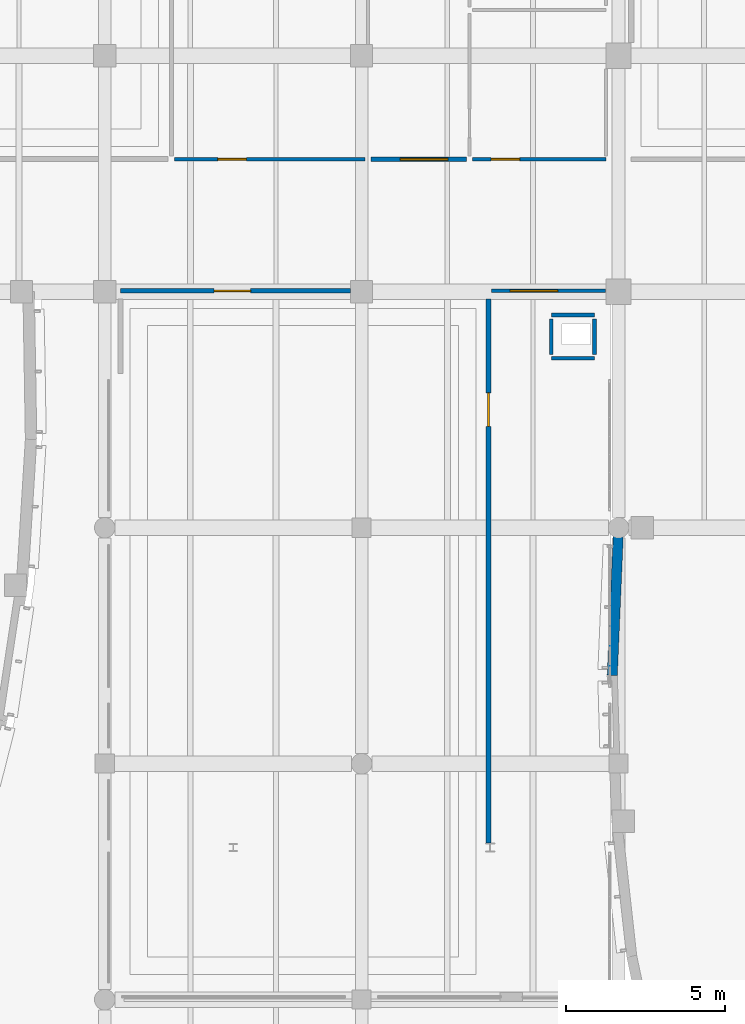
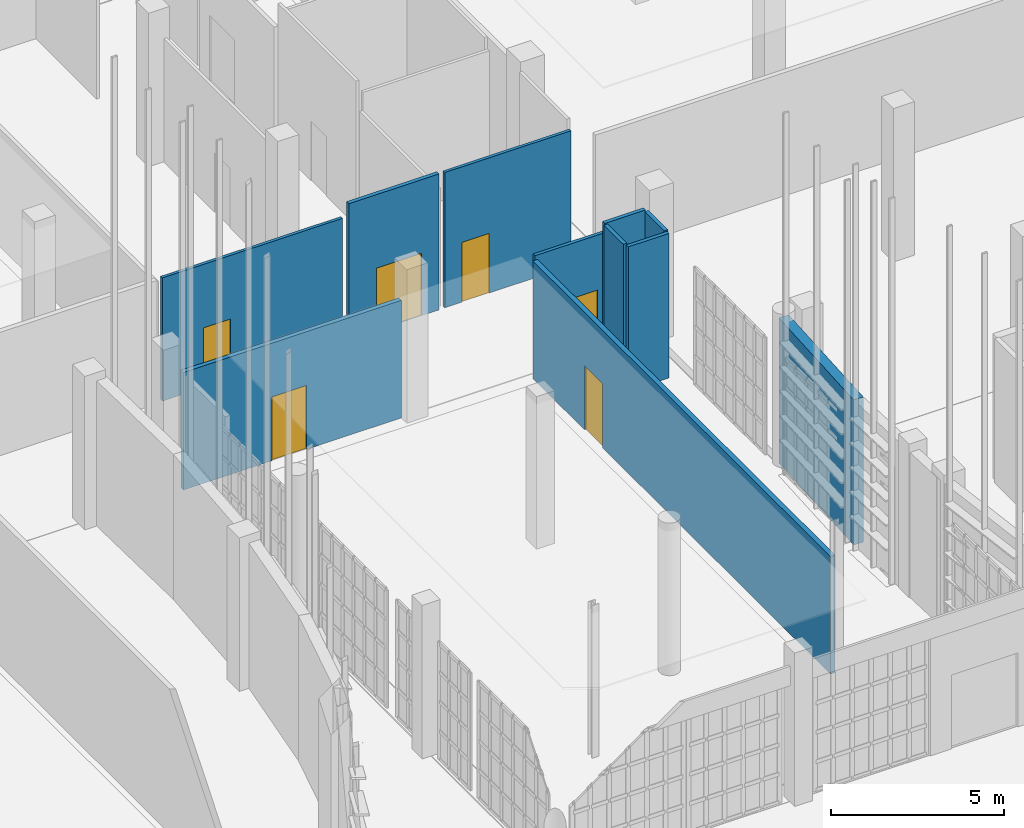
# One storey, part 351 of 372: 11 walls, 6 doors, 6 openings.
"""IFC4 building model written with IfcOpenShell, lengths in metres."""

from ifc_helpers import new_model, si_unit, direction, frame, frame_2d, origin, place, context, subcontext, project, spatial, rectangle, extrude, material, layer, layer_set, type_object, element, fill, save


model = new_model("IFC4")

# Units and contexts
model_context = context("Model", 3, precision=1e-05, world=origin(), true_north=direction((0.0, 1.0)))
body_context = subcontext(model_context, "Body", "Model", "MODEL_VIEW")
ifc_project = project(units=[si_unit("LENGTHUNIT", "METRE"), si_unit("AREAUNIT", "SQUARE_METRE"), si_unit("VOLUMEUNIT", "CUBIC_METRE"), si_unit("PLANEANGLEUNIT", "RADIAN"), si_unit("MASSUNIT", "GRAM", prefix="KILO")], contexts=[model_context])

# Site, building, storey
site_placement = place(None, origin())
site = spatial("IfcSite", under=ifc_project, at=site_placement, CompositionType="ELEMENT")
building_placement = place(site_placement, origin())
building = spatial("IfcBuilding", under=site, at=building_placement, Name="Kaelora Sail Theatre", CompositionType="ELEMENT")
storey_placement = place(building_placement, origin())
storey = spatial("IfcBuildingStorey", under=building, at=storey_placement, Name="L00", CompositionType="ELEMENT", Elevation=0.0)

# Wall
ifc_material_1 = material(Name="Concrete C45/55", Category="concrete")
ifc_layer_1 = layer(ifc_material_1, 0.320068359375)
ifc_layer_set_1 = layer_set([ifc_layer_1], Name="Concrete C45/55")
wall_type_1 = type_object("IfcWallType", Name="ARC-WL-DW-320", PredefinedType="SHEAR", material=ifc_layer_set_1)
wall_1_placement = place(storey_placement, frame((122.802001953125, 48.924560546875, 0.0), z_axis=(0.0, 0.0, 1.0), x_axis=(0.042491348944, 0.999096834779, 0.0)))
element("IfcWall", 1, at=wall_1_placement, inside=storey, type_object=wall_type_1, Name="Black-Box and Experimental Sail Wing curved drum acoustic wall L00 chord 20", PredefinedType="SHEAR", context=body_context, shape_type="SweptSolid", body=[
    extrude(rectangle(XDim=4.65966796875, YDim=0.320068359375, at=frame_2d((2.329833984375, 0.0))), origin(), (0.0, 0.0, 1.0), 5.10498046875),
])

# Wall, opening, door
ifc_material_2 = material(Name="Sanitary moisture-resistant partition 100 mm", Category="gypsum")
ifc_layer_2 = layer(ifc_material_2, 0.10009765625)
ifc_layer_set_2 = layer_set([ifc_layer_2], Name="Sanitary moisture-resistant partition 100 mm")
wall_type_2 = type_object("IfcWallType", Name="ARC-WL-PT-100", PredefinedType="PARTITIONING", material=ifc_layer_set_2)
wall_2_placement = place(storey_placement, frame((109.0, 65.199951171875, 0.0), z_axis=(0.0, 0.0, 1.0), x_axis=(1.0, 0.0, 0.0)))
wall_2 = element("IfcWall", 2, at=wall_2_placement, inside=storey, type_object=wall_type_2, Name="Interior acoustic partition L00-COR-FOYC/L00-WC-F1", PredefinedType="PARTITIONING", context=body_context, shape_type="SweptSolid", body=[
    extrude(rectangle(XDim=6.0, YDim=0.10009765625, at=frame_2d((3.0, 0.0))), origin(), (0.0, 0.0, 1.0), 4.3369140625),
])
opening_1_placement = place(wall_2_placement, frame((1.367919921875, 0.0, 0.0)))
opening_1 = element("IfcOpeningElement", 3, at=opening_1_placement, cuts=wall_2, Name="Opening ID-03", PredefinedType="OPENING", context=body_context, shape_type="SweptSolid", body=[
    extrude(rectangle(XDim=0.89990234375, YDim=2.10009765625, at=frame_2d((0.449951171875, 1.050048828125))), frame((0.0, 0.060049, 0.0), z_axis=(0.0, -1.0, 0.0), x_axis=(1.0, 0.0, 0.0)), (0.0, 0.0, 1.0), 0.120098),
])
ifc_material_3 = material(Name="Accessible sanitary laminate door", Category="timber")
door_type_1 = type_object("IfcDoorType", Name="ARC-DR-ID-03", OperationType="NOTDEFINED", PredefinedType="DOOR", material=ifc_material_3)
door_1_placement = place(opening_1_placement, origin())
door_1 = element("IfcDoor", 4, at=door_1_placement, inside=storey, type_object=door_type_1, Name="Interior door L00-COR-FOYC to L00-WC-F1", OperationType="SINGLE_SWING_RIGHT", OverallHeight=2.10009765625, OverallWidth=0.89990234375, PredefinedType="DOOR", context=body_context, shape_type="SweptSolid", body=[
    extrude(rectangle(XDim=0.89990234375, YDim=2.10009765625, at=frame_2d((0.449951171875, 1.050048828125))), frame((0.0, 0.02490234375, 0.0), z_axis=(0.0, -1.0, 0.0), x_axis=(1.0, 0.0, 0.0)), (0.0, 0.0, 1.0), 0.050048828125),
])
fill(opening_1, door_1)

wall_3_placement = place(storey_placement, frame((118.39990234375, 65.199951171875, 0.0), z_axis=(0.0, 0.0, 1.0), x_axis=(1.0, 0.0, 0.0)))
wall_3 = element("IfcWall", 5, at=wall_3_placement, inside=storey, type_object=wall_type_2, Name="Interior acoustic partition L00-COR-FOYC/L00-WC-ACC1", PredefinedType="PARTITIONING", context=body_context, shape_type="SweptSolid", body=[
    extrude(rectangle(XDim=4.2001953125, YDim=0.10009765625, at=frame_2d((2.10009765625, 0.0))), origin(), (0.0, 0.0, 1.0), 4.757080078125),
])
opening_2_placement = place(wall_3_placement, frame((0.580078125, 0.0, 0.0)))
opening_2 = element("IfcOpeningElement", 6, at=opening_2_placement, cuts=wall_3, Name="Opening ID-03", PredefinedType="OPENING", context=body_context, shape_type="SweptSolid", body=[
    extrude(rectangle(XDim=0.89990234375, YDim=2.10009765625, at=frame_2d((0.449951171875, 1.050048828125))), frame((0.0, 0.060049, 0.0), z_axis=(0.0, -1.0, 0.0), x_axis=(1.0, 0.0, 0.0)), (0.0, 0.0, 1.0), 0.120098),
])
door_2_placement = place(opening_2_placement, origin())
door_2 = element("IfcDoor", 7, at=door_2_placement, inside=storey, type_object=door_type_1, Name="Interior door L00-COR-FOYC to L00-WC-ACC1", OperationType="SINGLE_SWING_RIGHT", OverallHeight=2.10009765625, OverallWidth=0.89990234375, PredefinedType="DOOR", context=body_context, shape_type="SweptSolid", body=[
    extrude(rectangle(XDim=0.89990234375, YDim=2.10009765625, at=frame_2d((0.449951171875, 1.050048828125))), frame((0.0, 0.02490234375, 0.0), z_axis=(0.0, -1.0, 0.0), x_axis=(1.0, 0.0, 0.0)), (0.0, 0.0, 1.0), 0.050048828125),
])
fill(opening_2, door_2)

ifc_material_4 = material(Name="Office acoustic stud partition 110 mm", Category="gypsum")
ifc_layer_3 = layer(ifc_material_4, 0.110107421875)
ifc_layer_set_3 = layer_set([ifc_layer_3], Name="Office acoustic stud partition 110 mm")
wall_type_3 = type_object("IfcWallType", Name="ARC-WL-PT-110", PredefinedType="PARTITIONING", material=ifc_layer_set_3)
wall_4_placement = place(storey_placement, frame((119.0, 61.050048828125, 0.0), z_axis=(0.0, 0.0, 1.0), x_axis=(1.0, 0.0, 0.0)))
wall_4 = element("IfcWall", 8, at=wall_4_placement, inside=storey, type_object=wall_type_3, Name="Interior acoustic partition L00-COR-INTER2/L00-COR-FOYC", PredefinedType="PARTITIONING", context=body_context, shape_type="SweptSolid", body=[
    extrude(rectangle(XDim=3.594970703125, YDim=0.110107421875, at=frame_2d((1.79736328125, 0.0))), origin(), (0.0, 0.0, 1.0), 4.136962890625),
])
opening_3_placement = place(wall_4_placement, frame((0.580078125, 0.0, 0.0)))
opening_3 = element("IfcOpeningElement", 9, at=opening_3_placement, cuts=wall_4, Name="Opening FD-01", PredefinedType="OPENING", context=body_context, shape_type="SweptSolid", body=[
    extrude(rectangle(XDim=1.5, YDim=2.199951171875, at=frame_2d((0.75, 1.10009765625))), frame((0.0, 0.065176, 0.0), z_axis=(0.0, -1.0, 0.0), x_axis=(1.0, 0.0, 0.0)), (0.0, 0.0, 1.0), 0.130107),
])
ifc_material_5 = material(Name="Acoustic steel double fire door EI 90-C", Category="steel")
door_type_2 = type_object("IfcDoorType", Name="ARC-DR-FD-01", OperationType="NOTDEFINED", PredefinedType="DOOR", material=ifc_material_5)
door_3_placement = place(opening_3_placement, origin())
door_3 = element("IfcDoor", 10, at=door_3_placement, inside=storey, type_object=door_type_2, Name="Interior door L00-COR-INTER2 to L00-COR-FOYC", OperationType="DOUBLE_DOOR_SINGLE_SWING", OverallHeight=2.199951171875, OverallWidth=1.5, PredefinedType="DOOR", context=body_context, shape_type="SweptSolid", body=[
    extrude(rectangle(XDim=1.5, YDim=2.199951171875, at=frame_2d((0.75, 1.10009765625))), frame((0.0, 0.02490234375, 0.0), z_axis=(0.0, -1.0, 0.0), x_axis=(1.0, 0.0, 0.0)), (0.0, 0.0, 1.0), 0.050048828125),
])
fill(opening_3, door_3)

# Walls
ifc_material_6 = material(Name="Standard metal-stud partition 120 mm", Category="gypsum")
ifc_layer_4 = layer(ifc_material_6, 0.1201171875)
ifc_layer_set_4 = layer_set([ifc_layer_4], Name="Standard metal-stud partition 120 mm")
wall_type_4 = type_object("IfcWallType", Name="ARC-WL-PT-120", PredefinedType="PARTITIONING", material=ifc_layer_set_4)
for number, where, z_axis, x_axis, name in (
    (11, (120.8798828125, 58.925048828125, 0.0), (0.0, 0.0, 1.0), (1.0, 0.0, 0.0), "MEP riser shaft wall FI-EAST-L00-S"),
    (12, (120.8798828125, 60.284912109375, 0.0), (0.0, 0.0, 1.0), (1.0, 0.0, 0.0), "MEP riser shaft wall FI-EAST-L00-N"),
):
    element("IfcWall", number, at=place(storey_placement, frame(where, z_axis=z_axis, x_axis=x_axis)), inside=storey, type_object=wall_type_4, Name=name, PredefinedType="PARTITIONING", context=body_context, shape_type="SweptSolid", body=[
        extrude(rectangle(XDim=1.360107421875, YDim=0.1201171875, at=frame_2d((0.68017578125, 0.0))), origin(), (0.0, 0.0, 1.0), 5.0849609375),
    ])
for number, where, z_axis, x_axis, name in (
    (13, (120.8798828125, 59.044921875, 0.0), (0.0, 0.0, 1.0), (0.0, 1.0, 0.0), "MEP riser shaft wall FI-EAST-L00-W"),
    (14, (122.239990234375, 59.044921875, 0.0), (0.0, 0.0, 1.0), (0.0, 1.0, 0.0), "MEP riser shaft wall FI-EAST-L00-E"),
):
    element("IfcWall", number, at=place(storey_placement, frame(where, z_axis=z_axis, x_axis=x_axis)), inside=storey, type_object=wall_type_4, Name=name, PredefinedType="PARTITIONING", context=body_context, shape_type="SweptSolid", body=[
        extrude(rectangle(XDim=1.1201171875, YDim=0.1201171875, at=frame_2d((0.56005859375, 0.0))), origin(), (0.0, 0.0, 1.0), 5.0849609375),
    ])

# Wall, opening, door
ifc_material_7 = material(Name="Dressing room acoustic partition 130 mm", Category="gypsum")
ifc_layer_5 = layer(ifc_material_7, 0.1298828125)
ifc_layer_set_5 = layer_set([ifc_layer_5], Name="Dressing room acoustic partition 130 mm")
wall_type_5 = type_object("IfcWallType", Name="ARC-WL-PT-130", PredefinedType="PARTITIONING", material=ifc_layer_set_5)
wall_5_placement = place(storey_placement, frame((115.199951171875, 65.199951171875, 0.0), z_axis=(0.0, 0.0, 1.0), x_axis=(1.0, 0.0, 0.0)))
wall_5 = element("IfcWall", 15, at=wall_5_placement, inside=storey, type_object=wall_type_5, Name="Interior acoustic partition L00-COR-FOYC/L00-COR-WCLOB", PredefinedType="PARTITIONING", context=body_context, shape_type="SweptSolid", body=[
    extrude(rectangle(XDim=3.0, YDim=0.1298828125, at=frame_2d((1.5, 0.0))), origin(), (0.0, 0.0, 1.0), 4.787109375),
])
opening_4_placement = place(wall_5_placement, frame((0.919921875, 0.0, 0.0)))
opening_4 = element("IfcOpeningElement", 16, at=opening_4_placement, cuts=wall_5, Name="Opening FD-01", PredefinedType="OPENING", context=body_context, shape_type="SweptSolid", body=[
    extrude(rectangle(XDim=1.5, YDim=2.199951171875, at=frame_2d((0.75, 1.10009765625))), frame((0.0, 0.074941, 0.0), z_axis=(0.0, -1.0, 0.0), x_axis=(1.0, 0.0, 0.0)), (0.0, 0.0, 1.0), 0.149883),
])
door_4_placement = place(opening_4_placement, origin())
door_4 = element("IfcDoor", 17, at=door_4_placement, inside=storey, type_object=door_type_2, Name="Interior door L00-COR-FOYC to L00-COR-WCLOB", OperationType="DOUBLE_DOOR_SINGLE_SWING", OverallHeight=2.199951171875, OverallWidth=1.5, PredefinedType="DOOR", context=body_context, shape_type="SweptSolid", body=[
    extrude(rectangle(XDim=1.5, YDim=2.199951171875, at=frame_2d((0.75, 1.10009765625))), frame((0.0, 0.02490234375, 0.0), z_axis=(0.0, -1.0, 0.0), x_axis=(1.0, 0.0, 0.0)), (0.0, 0.0, 1.0), 0.050048828125),
])
fill(opening_4, door_4)

ifc_material_8 = material(Name="Fire-rated stud partition 140 mm", Category="gypsum")
ifc_layer_6 = layer(ifc_material_8, 0.139892578125)
ifc_layer_set_6 = layer_set([ifc_layer_6], Name="Fire-rated stud partition 140 mm")
wall_type_6 = type_object("IfcWallType", Name="ARC-WL-PT-140", PredefinedType="PARTITIONING", material=ifc_layer_set_6)
wall_6_placement = place(storey_placement, frame((107.300048828125, 61.050048828125, 0.0), z_axis=(0.0, 0.0, 1.0), x_axis=(1.0, 0.0, 0.0)))
wall_6 = element("IfcWall", 18, at=wall_6_placement, inside=storey, type_object=wall_type_6, Name="Interior acoustic partition L00-FOY-INTER2/L00-COR-FOYC", PredefinedType="PARTITIONING", context=body_context, shape_type="SweptSolid", body=[
    extrude(rectangle(XDim=7.244873046875, YDim=0.139892578125, at=frame_2d((3.62255859375, 0.0))), origin(), (0.0, 0.0, 1.0), 4.136962890625),
])
opening_5_placement = place(wall_6_placement, frame((2.948974609375, 0.0, 0.0)))
opening_5 = element("IfcOpeningElement", 19, at=opening_5_placement, cuts=wall_6, Name="Opening ID-07", PredefinedType="OPENING", context=body_context, shape_type="SweptSolid", body=[
    extrude(rectangle(XDim=1.14990234375, YDim=2.25, at=frame_2d((0.574951171875, 1.125))), frame((0.0, 0.079824, 0.0), z_axis=(0.0, -1.0, 0.0), x_axis=(1.0, 0.0, 0.0)), (0.0, 0.0, 1.0), 0.159893),
])
ifc_material_9 = material(Name="Chorus ensemble wide single door", Category="steel")
door_type_3 = type_object("IfcDoorType", Name="ARC-DR-ID-07", OperationType="NOTDEFINED", PredefinedType="DOOR", material=ifc_material_9)
door_5_placement = place(opening_5_placement, origin())
door_5 = element("IfcDoor", 20, at=door_5_placement, inside=storey, type_object=door_type_3, Name="Interior door L00-FOY-INTER2 to L00-COR-FOYC", OperationType="SINGLE_SWING_RIGHT", OverallHeight=2.25, OverallWidth=1.14990234375, PredefinedType="DOOR", context=body_context, shape_type="SweptSolid", body=[
    extrude(rectangle(XDim=1.14990234375, YDim=2.25, at=frame_2d((0.574951171875, 1.125))), frame((0.0, 0.02490234375, 0.0), z_axis=(0.0, -1.0, 0.0), x_axis=(1.0, 0.0, 0.0)), (0.0, 0.0, 1.0), 0.050048828125),
])
fill(opening_5, door_5)

ifc_material_10 = material(Name="Acoustic metal-stud plasterboard 160 mm", Category="gypsum")
ifc_layer_7 = layer(ifc_material_10, 0.159912109375)
ifc_layer_set_7 = layer_set([ifc_layer_7], Name="Acoustic metal-stud plasterboard 160 mm")
wall_type_7 = type_object("IfcWallType", Name="ARC-WL-PT-160", PredefinedType="PARTITIONING", material=ifc_layer_set_7)
wall_7_placement = place(storey_placement, frame((118.89990234375, 43.64501953125, 0.0), z_axis=(0.0, 0.0, 1.0), x_axis=(0.0, 1.0, 0.0)))
wall_7 = element("IfcWall", 21, at=wall_7_placement, inside=storey, type_object=wall_type_7, Name="Interior acoustic partition L00-FOY-INTER2/L00-COR-INTER2", PredefinedType="PARTITIONING", context=body_context, shape_type="SweptSolid", body=[
    extrude(rectangle(XDim=17.155029296875, YDim=0.159912109375, at=frame_2d((8.57763671875, 0.0))), origin(), (0.0, 0.0, 1.0), 4.136962890625),
])
opening_6_placement = place(wall_7_placement, frame((13.134033203125, 0.0, 0.0)))
opening_6 = element("IfcOpeningElement", 22, at=opening_6_placement, cuts=wall_7, Name="Opening ID-06", PredefinedType="OPENING", context=body_context, shape_type="SweptSolid", body=[
    extrude(rectangle(XDim=1.050048828125, YDim=2.25, at=frame_2d((0.52490234375, 1.125))), frame((0.0, 0.090078, 0.0), z_axis=(0.0, -1.0, 0.0), x_axis=(1.0, 0.0, 0.0)), (0.0, 0.0, 1.0), 0.179912),
])
ifc_material_11 = material(Name="Soloist dressing acoustic timber door", Category="wood")
door_type_4 = type_object("IfcDoorType", Name="ARC-DR-ID-06", OperationType="NOTDEFINED", PredefinedType="DOOR", material=ifc_material_11)
door_6_placement = place(opening_6_placement, origin())
door_6 = element("IfcDoor", 23, at=door_6_placement, inside=storey, type_object=door_type_4, Name="Interior door L00-FOY-INTER2 to L00-COR-INTER2", OperationType="SINGLE_SWING_LEFT", OverallHeight=2.25, OverallWidth=1.050048828125, PredefinedType="DOOR", context=body_context, shape_type="SweptSolid", body=[
    extrude(rectangle(XDim=1.050048828125, YDim=2.25, at=frame_2d((0.52490234375, 1.125))), frame((0.0, 0.02490234375, 0.0), z_axis=(0.0, -1.0, 0.0), x_axis=(1.0, 0.0, 0.0)), (0.0, 0.0, 1.0), 0.050048828125),
])
fill(opening_6, door_6)

save(model, "model.ifc")
